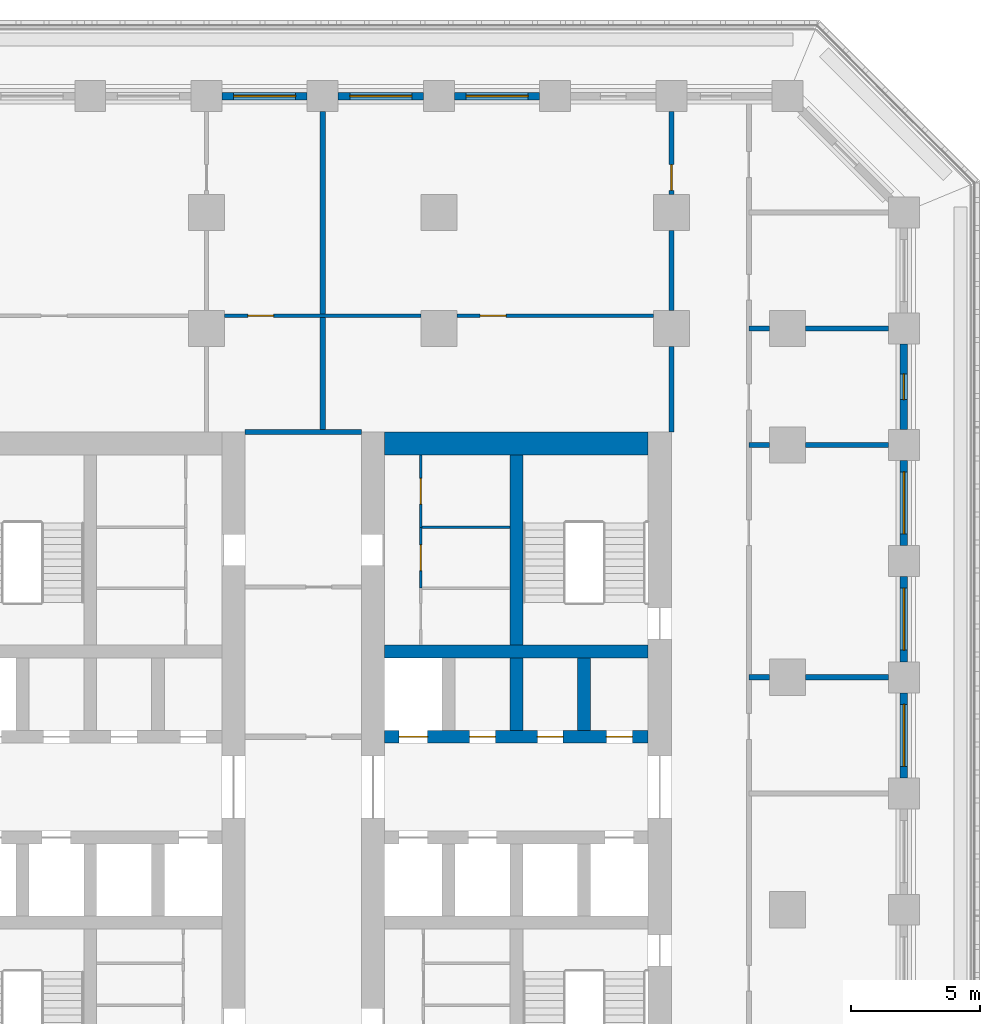
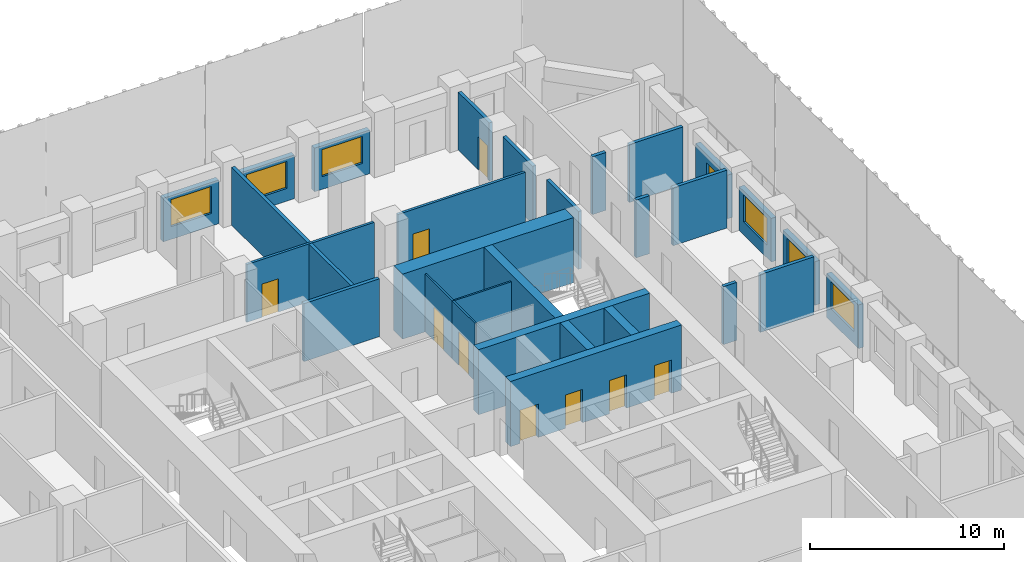
# One storey, part 8 of 19: 29 walls, 10 doors, 6 windows, 16 openings.
"""IFC4 building model written with IfcOpenShell, lengths in metres."""

from ifc_helpers import new_model, si_unit, direction, frame, frame_2d, origin, place, context, subcontext, project, spatial, rectangle, extrude, material, layer, layer_set, type_object, element, fill, save


model = new_model("IFC4")

# Units and contexts
model_context = context("Model", 3, precision=1e-05, world=origin(), true_north=direction((0.0, 1.0)))
body_context = subcontext(model_context, "Body", "Model", "MODEL_VIEW")
ifc_project = project(units=[si_unit("LENGTHUNIT", "METRE"), si_unit("AREAUNIT", "SQUARE_METRE"), si_unit("VOLUMEUNIT", "CUBIC_METRE"), si_unit("PLANEANGLEUNIT", "RADIAN"), si_unit("MASSUNIT", "GRAM", prefix="KILO")], contexts=[model_context])

# Site, building, storey
site_placement = place(None, origin())
site = spatial("IfcSite", under=ifc_project, at=site_placement, CompositionType="ELEMENT")
building_placement = place(site_placement, origin())
building = spatial("IfcBuilding", under=site, at=building_placement, Name="Corbel Stack Research Tower", CompositionType="ELEMENT")
storey_placement = place(building_placement, frame((0.0, 0.0, 124.89990234375)))
storey = spatial("IfcBuildingStorey", under=building, at=storey_placement, Name="L28", CompositionType="ELEMENT", Elevation=124.89990234375)

# Wall, openings, doors
ifc_material_1 = material(Name="Concrete C70/85", Category="concrete")
ifc_layer_1 = layer(ifc_material_1, 0.5)
ifc_layer_set_1 = layer_set([ifc_layer_1], Name="Concrete C70/85")
wall_type_1 = type_object("IfcWallType", Name="CW-500-70", PredefinedType="SHEAR", material=ifc_layer_set_1)
wall_1_placement = place(storey_placement, frame((6.89990234375, 6.699951171875, 0.0), z_axis=(0.0, 0.0, 1.0), x_axis=(1.0, 0.0, 0.0)))
wall_1 = element("IfcWall", 1, at=wall_1_placement, inside=storey, type_object=wall_type_1, Name="East core wall, lobby north L28", PredefinedType="SHEAR", context=body_context, shape_type="SweptSolid", body=[
    extrude(rectangle(XDim=10.2001953125, YDim=0.5, at=frame_2d((5.10009765625, 0.0))), origin(), (0.0, 0.0, 1.0), 4.10009765625),
])
opening_1_placement = place(wall_1_placement, frame((0.5625, 0.0, 0.0)))
opening_1 = element("IfcOpeningElement", 2, at=opening_1_placement, cuts=wall_1, Name="Opening LD-LR4", PredefinedType="OPENING", context=body_context, shape_type="SweptSolid", body=[
    extrude(rectangle(XDim=1.10009765625, YDim=2.10009765625, at=frame_2d((0.550048828125, 1.050048828125))), frame((0.0, 0.260009765625, 0.0), z_axis=(0.0, -1.0, 0.0), x_axis=(1.0, 0.0, 0.0)), (0.0, 0.0, 1.0), 0.52001953125),
])
opening_2_placement = place(wall_1_placement, frame((3.28759765625, 0.0, 0.0)))
opening_2 = element("IfcOpeningElement", 3, at=opening_2_placement, cuts=wall_1, Name="Opening CR-E42-N2", PredefinedType="OPENING", context=body_context, shape_type="SweptSolid", body=[
    extrude(rectangle(XDim=1.0, YDim=2.10009765625, at=frame_2d((0.5, 1.050048828125))), frame((0.0, 0.260009765625, 0.0), z_axis=(0.0, -1.0, 0.0), x_axis=(1.0, 0.0, 0.0)), (0.0, 0.0, 1.0), 0.52001953125),
])
opening_3_placement = place(wall_1_placement, frame((5.91259765625, 0.0, 0.0)))
opening_3 = element("IfcOpeningElement", 4, at=opening_3_placement, cuts=wall_1, Name="Opening CR-E42-N3", PredefinedType="OPENING", context=body_context, shape_type="SweptSolid", body=[
    extrude(rectangle(XDim=1.0, YDim=2.10009765625, at=frame_2d((0.5, 1.050048828125))), frame((0.0, 0.260009765625, 0.0), z_axis=(0.0, -1.0, 0.0), x_axis=(1.0, 0.0, 0.0)), (0.0, 0.0, 1.0), 0.52001953125),
])
opening_4_placement = place(wall_1_placement, frame((8.58740234375, 0.0, 0.0)))
opening_4 = element("IfcOpeningElement", 5, at=opening_4_placement, cuts=wall_1, Name="Opening CR-E42-N4", PredefinedType="OPENING", context=body_context, shape_type="SweptSolid", body=[
    extrude(rectangle(XDim=1.0, YDim=2.10009765625, at=frame_2d((0.5, 1.050048828125))), frame((0.0, 0.260009765625, 0.0), z_axis=(0.0, -1.0, 0.0), x_axis=(1.0, 0.0, 0.0)), (0.0, 0.0, 1.0), 0.52001953125),
])
ifc_material_2 = material(Name="Stainless steel landing door", Category="steel")
door_type_1 = type_object("IfcDoorType", Name="Lift landing door 1100 x 2100", OperationType="DOUBLE_DOOR_SLIDING", PredefinedType="DOOR", material=ifc_material_2)
door_1_placement = place(opening_1_placement, origin())
door_1 = element("IfcDoor", 6, at=door_1_placement, inside=storey, type_object=door_type_1, Name="Landing door LR4", OperationType="DOUBLE_DOOR_SLIDING", OverallHeight=2.10009765625, OverallWidth=1.10009765625, PredefinedType="DOOR", context=body_context, shape_type="SweptSolid", body=[
    extrude(rectangle(XDim=1.10009765625, YDim=2.10009765625, at=frame_2d((0.550048828125, 1.050048828125))), frame((0.0, 0.02490234375, 0.0), z_axis=(0.0, -1.0, 0.0), x_axis=(1.0, 0.0, 0.0)), (0.0, 0.0, 1.0), 0.050048828125),
])
fill(opening_1, door_1)
ifc_material_3 = material(Name="Painted steel door", Category="steel")
door_type_2 = type_object("IfcDoorType", Name="Service door 1000 x 2100 FD60 left hand", OperationType="SINGLE_SWING_LEFT", PredefinedType="DOOR", material=ifc_material_3)
door_2_placement = place(opening_3_placement, origin())
door_2 = element("IfcDoor", 7, at=door_2_placement, inside=storey, type_object=door_type_2, Name="Pantry door E core", OperationType="SINGLE_SWING_LEFT", OverallHeight=2.10009765625, OverallWidth=1.0, PredefinedType="DOOR", context=body_context, shape_type="SweptSolid", body=[
    extrude(rectangle(XDim=1.0, YDim=2.10009765625, at=frame_2d((0.5, 1.050048828125))), frame((0.0, 0.02490234375, 0.0), z_axis=(0.0, -1.0, 0.0), x_axis=(1.0, 0.0, 0.0)), (0.0, 0.0, 1.0), 0.050048828125),
])
fill(opening_3, door_2)
ifc_material_4 = material(Name="Painted steel door", Category="steel")
door_type_3 = type_object("IfcDoorType", Name="Service door 1000 x 2100 FD60 right hand", OperationType="SINGLE_SWING_RIGHT", PredefinedType="DOOR", material=ifc_material_4)
door_3_placement = place(opening_2_placement, origin())
door_3 = element("IfcDoor", 8, at=door_3_placement, inside=storey, type_object=door_type_3, Name="Electrical room door E core", OperationType="SINGLE_SWING_RIGHT", OverallHeight=2.10009765625, OverallWidth=1.0, PredefinedType="DOOR", context=body_context, shape_type="SweptSolid", body=[
    extrude(rectangle(XDim=1.0, YDim=2.10009765625, at=frame_2d((0.5, 1.050048828125))), frame((0.0, 0.02490234375, 0.0), z_axis=(0.0, -1.0, 0.0), x_axis=(1.0, 0.0, 0.0)), (0.0, 0.0, 1.0), 0.050048828125),
])
fill(opening_2, door_3)
door_4_placement = place(opening_4_placement, origin())
door_4 = element("IfcDoor", 9, at=door_4_placement, inside=storey, type_object=door_type_3, Name="Staff WC door E core", OperationType="SINGLE_SWING_RIGHT", OverallHeight=2.10009765625, OverallWidth=1.0, PredefinedType="DOOR", context=body_context, shape_type="SweptSolid", body=[
    extrude(rectangle(XDim=1.0, YDim=2.10009765625, at=frame_2d((0.5, 1.050048828125))), frame((0.0, 0.02490234375, 0.0), z_axis=(0.0, -1.0, 0.0), x_axis=(1.0, 0.0, 0.0)), (0.0, 0.0, 1.0), 0.050048828125),
])
fill(opening_4, door_4)

# Walls
wall_2_placement = place(storey_placement, frame((6.89990234375, 10.0, 0.0), z_axis=(0.0, 0.0, 1.0), x_axis=(1.0, 0.0, 0.0)))
element("IfcWall", 10, at=wall_2_placement, inside=storey, type_object=wall_type_1, Name="East core wall, north row back L28", PredefinedType="SHEAR", context=body_context, shape_type="SweptSolid", body=[
    extrude(rectangle(XDim=10.2001953125, YDim=0.5, at=frame_2d((5.10009765625, 0.0))), origin(), (0.0, 0.0, 1.0), 4.10009765625),
])
for number, where, z_axis, x_axis, name in (
    (11, (12.0, 6.949951171875, 0.0), (0.0, 0.0, 1.0), (0.0, 1.0, 0.0), "East core wall, north shaft 2 L28"),
    (12, (14.625, 6.949951171875, 0.0), (0.0, 0.0, 1.0), (0.0, 1.0, 0.0), "East core wall, north shaft 3 L28"),
):
    element("IfcWall", number, at=place(storey_placement, frame(where, z_axis=z_axis, x_axis=x_axis)), inside=storey, type_object=wall_type_1, Name=name, PredefinedType="SHEAR", context=body_context, shape_type="SweptSolid", body=[
        extrude(rectangle(XDim=2.800048828125, YDim=0.5, at=frame_2d((1.39990234375, 0.0))), origin(), (0.0, 0.0, 1.0), 4.10009765625),
    ])
wall_3_placement = place(storey_placement, frame((12.0, 10.25, 0.0), z_axis=(0.0, 0.0, 1.0), x_axis=(0.0, 1.0, 0.0)))
element("IfcWall", 13, at=wall_3_placement, inside=storey, type_object=wall_type_1, Name="East core wall, north stair and riser L28", PredefinedType="SHEAR", context=body_context, shape_type="SweptSolid", body=[
    extrude(rectangle(XDim=7.35009765625, YDim=0.5, at=frame_2d((3.675048828125, 0.0))), origin(), (0.0, 0.0, 1.0), 4.10009765625),
])
ifc_material_5 = material(Name="Concrete C70/85", Category="concrete")
ifc_layer_2 = layer(ifc_material_5, 0.89990234375)
ifc_layer_set_2 = layer_set([ifc_layer_2], Name="Concrete C70/85")
wall_type_2 = type_object("IfcWallType", Name="CW-900-70", PredefinedType="SHEAR", material=ifc_layer_set_2)
wall_4_placement = place(storey_placement, frame((6.89990234375, 18.050048828125, 0.0), z_axis=(0.0, 0.0, 1.0), x_axis=(1.0, 0.0, 0.0)))
element("IfcWall", 14, at=wall_4_placement, inside=storey, type_object=wall_type_2, Name="East core wall, north end L28", PredefinedType="SHEAR", context=body_context, shape_type="SweptSolid", body=[
    extrude(rectangle(XDim=10.2001953125, YDim=0.89990234375, at=frame_2d((5.10009765625, 0.0))), origin(), (0.0, 0.0, 1.0), 4.10009765625),
])

# Wall, opening, door
ifc_material_6 = material(Name="Gypsum board")
ifc_layer_3 = layer(ifc_material_6, 0.10009765625)
ifc_layer_set_3 = layer_set([ifc_layer_3], Name="Gypsum board")
wall_type_3 = type_object("IfcWallType", Name="Core partition 100", PredefinedType="PARTITIONING", material=ifc_layer_set_3)
wall_5_placement = place(storey_placement, frame((8.300048828125, 12.455078125, 0.0), z_axis=(0.0, 0.0, 1.0), x_axis=(0.0, 1.0, 0.0)))
wall_5 = element("IfcWall", 15, at=wall_5_placement, inside=storey, type_object=wall_type_3, Name="Core partition E", PredefinedType="PARTITIONING", context=body_context, shape_type="SweptSolid", body=[
    extrude(rectangle(XDim=2.351806640625, YDim=0.10009765625, at=frame_2d((1.17578125, 0.0))), origin(), (0.0, 0.0, 1.0), 3.650146484375),
])
opening_5_placement = place(wall_5_placement, frame((0.676025390625, 0.0, 0.0)))
opening_5 = element("IfcOpeningElement", 16, at=opening_5_placement, cuts=wall_5, Name="Opening CR-E42-R3-1000", PredefinedType="OPENING", context=body_context, shape_type="SweptSolid", body=[
    extrude(rectangle(XDim=1.0, YDim=2.10009765625, at=frame_2d((0.5, 1.050048828125))), frame((0.0, 0.06005859375, 0.0), z_axis=(0.0, -1.0, 0.0), x_axis=(1.0, 0.0, 0.0)), (0.0, 0.0, 1.0), 0.1201171875),
])
ifc_material_7 = material(Name="Painted steel door", Category="steel")
door_type_4 = type_object("IfcDoorType", Name="Service door 1000 x 2100 FD30 right hand", OperationType="SINGLE_SWING_RIGHT", PredefinedType="DOOR", material=ifc_material_7)
door_5_placement = place(opening_5_placement, origin())
door_5 = element("IfcDoor", 17, at=door_5_placement, inside=storey, type_object=door_type_4, Name="Pantry door E core", OperationType="SINGLE_SWING_RIGHT", OverallHeight=2.10009765625, OverallWidth=1.0, PredefinedType="DOOR", context=body_context, shape_type="SweptSolid", body=[
    extrude(rectangle(XDim=1.0, YDim=2.10009765625, at=frame_2d((0.5, 1.050048828125))), frame((0.0, 0.02490234375, 0.0), z_axis=(0.0, -1.0, 0.0), x_axis=(1.0, 0.0, 0.0)), (0.0, 0.0, 1.0), 0.050048828125),
])
fill(opening_5, door_5)

wall_6_placement = place(storey_placement, frame((8.300048828125, 14.806884765625, 0.0), z_axis=(0.0, 0.0, 1.0), x_axis=(0.0, 1.0, 0.0)))
wall_6 = element("IfcWall", 18, at=wall_6_placement, inside=storey, type_object=wall_type_3, Name="Core partition E", PredefinedType="PARTITIONING", context=body_context, shape_type="SweptSolid", body=[
    extrude(rectangle(XDim=2.793212890625, YDim=0.10009765625, at=frame_2d((1.396484375, 0.0))), origin(), (0.0, 0.0, 1.0), 3.650146484375),
])
opening_6_placement = place(wall_6_placement, frame((0.896484375, 0.0, 0.0)))
opening_6 = element("IfcOpeningElement", 19, at=opening_6_placement, cuts=wall_6, Name="Opening CR-E42-R4-1000", PredefinedType="OPENING", context=body_context, shape_type="SweptSolid", body=[
    extrude(rectangle(XDim=1.0, YDim=2.10009765625, at=frame_2d((0.5, 1.050048828125))), frame((0.0, 0.06005859375, 0.0), z_axis=(0.0, -1.0, 0.0), x_axis=(1.0, 0.0, 0.0)), (0.0, 0.0, 1.0), 0.1201171875),
])
ifc_material_8 = material(Name="Painted steel door", Category="steel")
door_type_5 = type_object("IfcDoorType", Name="Riser door 1000 x 2100 FD60 left hand", OperationType="SINGLE_SWING_LEFT", PredefinedType="DOOR", material=ifc_material_8)
door_6_placement = place(opening_6_placement, origin())
door_6 = element("IfcDoor", 20, at=door_6_placement, inside=storey, type_object=door_type_5, Name="Electrical riser door E core", OperationType="SINGLE_SWING_LEFT", OverallHeight=2.10009765625, OverallWidth=1.0, PredefinedType="DOOR", context=body_context, shape_type="SweptSolid", body=[
    extrude(rectangle(XDim=1.0, YDim=2.10009765625, at=frame_2d((0.5, 1.050048828125))), frame((0.0, 0.02490234375, 0.0), z_axis=(0.0, -1.0, 0.0), x_axis=(1.0, 0.0, 0.0)), (0.0, 0.0, 1.0), 0.050048828125),
])
fill(opening_6, door_6)

# Walls
wall_7_placement = place(storey_placement, frame((8.300048828125, 14.806884765625, 0.0), z_axis=(0.0, 0.0, 1.0), x_axis=(1.0, 0.0, 0.0)))
element("IfcWall", 21, at=wall_7_placement, inside=storey, type_object=wall_type_3, Name="Core partition E", PredefinedType="PARTITIONING", context=body_context, shape_type="SweptSolid", body=[
    extrude(rectangle(XDim=3.449951171875, YDim=0.10009765625, at=frame_2d((1.72509765625, 0.0))), origin(), (0.0, 0.0, 1.0), 3.650146484375),
])
ifc_material_9 = material(Name="Fire-rated gypsum board partition on steel studs", Category="steel")
ifc_layer_4 = layer(ifc_material_9, 0.199951171875)
ifc_layer_set_4 = layer_set([ifc_layer_4], Name="Fire-rated gypsum board partition on steel studs")
wall_type_4 = type_object("IfcWallType", Name="Fire-rated partition 200 EI 60", PredefinedType="PARTITIONING", material=ifc_layer_set_4)
wall_8_placement = place(storey_placement, frame((4.5, 18.5, 0.0), z_axis=(0.0, 0.0, 1.0), x_axis=(0.0, 1.0, 0.0)))
element("IfcWall", 22, at=wall_8_placement, inside=storey, type_object=wall_type_4, Name="Partition L28-018", PredefinedType="PARTITIONING", context=body_context, shape_type="SweptSolid", body=[
    extrude(rectangle(XDim=12.39990234375, YDim=0.199951171875, at=frame_2d((6.199951171875, 0.0))), origin(), (0.0, 0.0, 1.0), 3.650146484375),
])
wall_9_placement = place(storey_placement, frame((18.0, 18.5, 0.0), z_axis=(0.0, 0.0, 1.0), x_axis=(0.0, 1.0, 0.0)))
element("IfcWall", 23, at=wall_9_placement, inside=storey, type_object=wall_type_4, Name="Partition L28-021", PredefinedType="PARTITIONING", context=body_context, shape_type="SweptSolid", body=[
    extrude(rectangle(XDim=3.300048828125, YDim=0.199951171875, at=frame_2d((1.64990234375, 0.0))), origin(), (0.0, 0.0, 1.0), 3.650146484375),
])
wall_10_placement = place(storey_placement, frame((18.0, 23.199951171875, 0.0), z_axis=(0.0, 0.0, 1.0), x_axis=(0.0, 1.0, 0.0)))
element("IfcWall", 24, at=wall_10_placement, inside=storey, type_object=wall_type_4, Name="Partition L28-022", PredefinedType="PARTITIONING", context=body_context, shape_type="SweptSolid", body=[
    extrude(rectangle(XDim=3.10009765625, YDim=0.199951171875, at=frame_2d((1.550048828125, 0.0))), origin(), (0.0, 0.0, 1.0), 3.650146484375),
])

# Wall, opening, door
wall_11_placement = place(storey_placement, frame((18.0, 27.699951171875, 0.0), z_axis=(0.0, 0.0, 1.0), x_axis=(0.0, 1.0, 0.0)))
wall_11 = element("IfcWall", 25, at=wall_11_placement, inside=storey, type_object=wall_type_4, Name="Partition L28-023", PredefinedType="PARTITIONING", context=body_context, shape_type="SweptSolid", body=[
    extrude(rectangle(XDim=3.199951171875, YDim=0.199951171875, at=frame_2d((1.60009765625, 0.0))), origin(), (0.0, 0.0, 1.0), 3.650146484375),
])
opening_7_placement = place(wall_11_placement, frame((0.14990234375, 0.0, 0.0)))
opening_7 = element("IfcOpeningElement", 26, at=opening_7_placement, cuts=wall_11, Name="Opening B4V1-027", PredefinedType="OPENING", context=body_context, shape_type="SweptSolid", body=[
    extrude(rectangle(XDim=1.0, YDim=2.10009765625, at=frame_2d((0.5, 1.050048828125))), frame((0.0, 0.10986328125, 0.0), z_axis=(0.0, -1.0, 0.0), x_axis=(1.0, 0.0, 0.0)), (0.0, 0.0, 1.0), 0.219970703125),
])
ifc_material_10 = material(Name="Painted steel fire door", Category="steel")
door_type_6 = type_object("IfcDoorType", Name="Fire door FD30S 1000 x 2100", OperationType="NOTDEFINED", PredefinedType="DOOR", material=ifc_material_10)
door_7_placement = place(opening_7_placement, origin())
door_7 = element("IfcDoor", 27, at=door_7_placement, inside=storey, type_object=door_type_6, Name="Door B4V1-027", OperationType="SINGLE_SWING_LEFT", OverallHeight=2.10009765625, OverallWidth=1.0, PredefinedType="DOOR", context=body_context, shape_type="SweptSolid", body=[
    extrude(rectangle(XDim=1.0, YDim=2.10009765625, at=frame_2d((0.5, 1.050048828125))), frame((0.0, 0.02490234375, 0.0), z_axis=(0.0, -1.0, 0.0), x_axis=(1.0, 0.0, 0.0)), (0.0, 0.0, 1.0), 0.050048828125),
])
fill(opening_7, door_7)

# Walls
wall_12_placement = place(storey_placement, frame((21.0, 9.0, 0.0), z_axis=(0.0, 0.0, 1.0), x_axis=(1.0, 0.0, 0.0)))
element("IfcWall", 28, at=wall_12_placement, inside=storey, type_object=wall_type_4, Name="Partition L28-038", PredefinedType="PARTITIONING", context=body_context, shape_type="SweptSolid", body=[
    extrude(rectangle(XDim=0.800048828125, YDim=0.199951171875, at=frame_2d((0.39990234375, 0.0))), origin(), (0.0, 0.0, 1.0), 3.650146484375),
])
wall_13_placement = place(storey_placement, frame((23.199951171875, 9.0, 0.0), z_axis=(0.0, 0.0, 1.0), x_axis=(1.0, 0.0, 0.0)))
element("IfcWall", 29, at=wall_13_placement, inside=storey, type_object=wall_type_4, Name="Partition L28-039", PredefinedType="PARTITIONING", context=body_context, shape_type="SweptSolid", body=[
    extrude(rectangle(XDim=3.199951171875, YDim=0.199951171875, at=frame_2d((1.60009765625, 0.0))), origin(), (0.0, 0.0, 1.0), 3.650146484375),
])
wall_14_placement = place(storey_placement, frame((21.0, 18.0, 0.0), z_axis=(0.0, 0.0, 1.0), x_axis=(1.0, 0.0, 0.0)))
element("IfcWall", 30, at=wall_14_placement, inside=storey, type_object=wall_type_4, Name="Partition L28-043", PredefinedType="PARTITIONING", context=body_context, shape_type="SweptSolid", body=[
    extrude(rectangle(XDim=0.800048828125, YDim=0.199951171875, at=frame_2d((0.39990234375, 0.0))), origin(), (0.0, 0.0, 1.0), 3.650146484375),
])
wall_15_placement = place(storey_placement, frame((23.199951171875, 18.0, 0.0), z_axis=(0.0, 0.0, 1.0), x_axis=(1.0, 0.0, 0.0)))
element("IfcWall", 31, at=wall_15_placement, inside=storey, type_object=wall_type_4, Name="Partition L28-044", PredefinedType="PARTITIONING", context=body_context, shape_type="SweptSolid", body=[
    extrude(rectangle(XDim=3.199951171875, YDim=0.199951171875, at=frame_2d((1.60009765625, 0.0))), origin(), (0.0, 0.0, 1.0), 3.650146484375),
])
wall_16_placement = place(storey_placement, frame((1.5, 18.5, 0.0), z_axis=(0.0, 0.0, 1.0), x_axis=(1.0, 0.0, 0.0)))
element("IfcWall", 32, at=wall_16_placement, inside=storey, type_object=wall_type_4, Name="Partition L28-045", PredefinedType="PARTITIONING", context=body_context, shape_type="SweptSolid", body=[
    extrude(rectangle(XDim=4.5, YDim=0.199951171875, at=frame_2d((2.25, 0.0))), origin(), (0.0, 0.0, 1.0), 3.650146484375),
])
wall_17_placement = place(storey_placement, frame((21.0, 22.5, 0.0), z_axis=(0.0, 0.0, 1.0), x_axis=(1.0, 0.0, 0.0)))
element("IfcWall", 33, at=wall_17_placement, inside=storey, type_object=wall_type_4, Name="Partition L28-048", PredefinedType="PARTITIONING", context=body_context, shape_type="SweptSolid", body=[
    extrude(rectangle(XDim=0.800048828125, YDim=0.199951171875, at=frame_2d((0.39990234375, 0.0))), origin(), (0.0, 0.0, 1.0), 3.650146484375),
])
wall_18_placement = place(storey_placement, frame((23.199951171875, 22.5, 0.0), z_axis=(0.0, 0.0, 1.0), x_axis=(1.0, 0.0, 0.0)))
element("IfcWall", 34, at=wall_18_placement, inside=storey, type_object=wall_type_4, Name="Partition L28-049", PredefinedType="PARTITIONING", context=body_context, shape_type="SweptSolid", body=[
    extrude(rectangle(XDim=3.199951171875, YDim=0.199951171875, at=frame_2d((1.60009765625, 0.0))), origin(), (0.0, 0.0, 1.0), 3.650146484375),
])

# Wall, opening, door
ifc_material_11 = material(Name="Gypsum board partition on steel studs", Category="steel")
ifc_layer_5 = layer(ifc_material_11, 0.14990234375)
ifc_layer_set_5 = layer_set([ifc_layer_5], Name="Gypsum board partition on steel studs")
wall_type_5 = type_object("IfcWallType", Name="Partition 150", PredefinedType="PARTITIONING", material=ifc_layer_set_5)
wall_19_placement = place(storey_placement, frame((8.300048828125, 23.0, 0.0), z_axis=(0.0, 0.0, 1.0), x_axis=(-1.0, 0.0, 0.0)))
wall_19 = element("IfcWall", 35, at=wall_19_placement, inside=storey, type_object=wall_type_5, Name="Partition L28-052", PredefinedType="PARTITIONING", context=body_context, shape_type="SweptSolid", body=[
    extrude(rectangle(XDim=7.60009765625, YDim=0.14990234375, at=frame_2d((3.800048828125, 0.0))), origin(), (0.0, 0.0, 1.0), 3.650146484375),
])
opening_8_placement = place(wall_19_placement, frame((5.699951171875, 0.0, 0.0)))
opening_8 = element("IfcOpeningElement", 36, at=opening_8_placement, cuts=wall_19, Name="Opening B4V1-037", PredefinedType="OPENING", context=body_context, shape_type="SweptSolid", body=[
    extrude(rectangle(XDim=1.0, YDim=2.10009765625, at=frame_2d((0.5, 1.050048828125))), frame((0.0, 0.0849609375, 0.0), z_axis=(0.0, -1.0, 0.0), x_axis=(1.0, 0.0, 0.0)), (0.0, 0.0, 1.0), 0.169921875),
])
ifc_material_12 = material(Name="Painted timber door", Category="wood")
door_type_7 = type_object("IfcDoorType", Name="Single door 1000 x 2100", OperationType="NOTDEFINED", PredefinedType="DOOR", material=ifc_material_12)
door_8_placement = place(opening_8_placement, origin())
door_8 = element("IfcDoor", 37, at=door_8_placement, inside=storey, type_object=door_type_7, Name="Door B4V1-037", OperationType="SINGLE_SWING_RIGHT", OverallHeight=2.10009765625, OverallWidth=1.0, PredefinedType="DOOR", context=body_context, shape_type="SweptSolid", body=[
    extrude(rectangle(XDim=1.0, YDim=2.10009765625, at=frame_2d((0.5, 1.050048828125))), frame((0.0, 0.02490234375, 0.0), z_axis=(0.0, -1.0, 0.0), x_axis=(1.0, 0.0, 0.0)), (0.0, 0.0, 1.0), 0.050048828125),
])
fill(opening_8, door_8)

wall_20_placement = place(storey_placement, frame((17.300048828125, 23.0, 0.0), z_axis=(0.0, 0.0, 1.0), x_axis=(-1.0, 0.0, 0.0)))
wall_20 = element("IfcWall", 38, at=wall_20_placement, inside=storey, type_object=wall_type_5, Name="Partition L28-053", PredefinedType="PARTITIONING", context=body_context, shape_type="SweptSolid", body=[
    extrude(rectangle(XDim=7.60009765625, YDim=0.14990234375, at=frame_2d((3.800048828125, 0.0))), origin(), (0.0, 0.0, 1.0), 3.650146484375),
])
opening_9_placement = place(wall_20_placement, frame((5.699951171875, 0.0, 0.0)))
opening_9 = element("IfcOpeningElement", 39, at=opening_9_placement, cuts=wall_20, Name="Opening B4V1-038", PredefinedType="OPENING", context=body_context, shape_type="SweptSolid", body=[
    extrude(rectangle(XDim=1.0, YDim=2.10009765625, at=frame_2d((0.5, 1.050048828125))), frame((0.0, 0.0849609375, 0.0), z_axis=(0.0, -1.0, 0.0), x_axis=(1.0, 0.0, 0.0)), (0.0, 0.0, 1.0), 0.169921875),
])
door_9_placement = place(opening_9_placement, origin())
door_9 = element("IfcDoor", 40, at=door_9_placement, inside=storey, type_object=door_type_7, Name="Door B4V1-038", OperationType="SINGLE_SWING_RIGHT", OverallHeight=2.10009765625, OverallWidth=1.0, PredefinedType="DOOR", context=body_context, shape_type="SweptSolid", body=[
    extrude(rectangle(XDim=1.0, YDim=2.10009765625, at=frame_2d((0.5, 1.050048828125))), frame((0.0, 0.02490234375, 0.0), z_axis=(0.0, -1.0, 0.0), x_axis=(1.0, 0.0, 0.0)), (0.0, 0.0, 1.0), 0.050048828125),
])
fill(opening_9, door_9)

# Wall, opening, window
ifc_material_13 = material(Name="Concrete C45/55", Category="concrete")
ifc_layer_6 = layer(ifc_material_13, 0.300048828125)
ifc_layer_set_6 = layer_set([ifc_layer_6], Name="Concrete C45/55")
wall_type_6 = type_object("IfcWallType", Name="Terracotta-faced concrete wall 300", PredefinedType="SOLIDWALL", material=ifc_layer_set_6)
wall_21_placement = place(storey_placement, frame((27.0, 8.39990234375, 0.0), z_axis=(0.0, 0.0, 1.0), x_axis=(0.0, -1.0, 0.0)))
wall_21 = element("IfcWall", 41, at=wall_21_placement, inside=storey, type_object=wall_type_6, Name="Facade wall L28 E06", PredefinedType="SOLIDWALL", context=body_context, shape_type="SweptSolid", body=[
    extrude(rectangle(XDim=3.2998046875, YDim=0.300048828125, at=frame_2d((1.64990234375, 0.0))), origin(), (0.0, 0.0, 1.0), 2.75),
])
opening_10_placement = place(wall_21_placement, frame((0.449951171875, 0.0, 0.800048828125)))
opening_10 = element("IfcOpeningElement", 42, at=opening_10_placement, cuts=wall_21, Name="Opening W1", PredefinedType="OPENING", context=body_context, shape_type="SweptSolid", body=[
    extrude(rectangle(XDim=2.39990234375, YDim=1.699951171875, at=frame_2d((1.199951171875, 0.85009765625))), frame((0.0, 0.159912109375, 0.0), z_axis=(0.0, -1.0, 0.0), x_axis=(1.0, 0.0, 0.0)), (0.0, 0.0, 1.0), 0.320068359375),
])
ifc_material_14 = material(Name="Aluminium frame, clear double glazing", Category="aluminium")
window_type = type_object("IfcWindowType", Name="Window W1 2400 x 1700", PartitioningType="SINGLE_PANEL", PredefinedType="WINDOW", material=ifc_material_14)
window_1_placement = place(opening_10_placement, origin())
window_1 = element("IfcWindow", 43, at=window_1_placement, inside=storey, type_object=window_type, Name="Window W1 L28 E06", OverallHeight=1.699951171875, OverallWidth=2.39990234375, PartitioningType="SINGLE_PANEL", PredefinedType="WINDOW", context=body_context, shape_type="SweptSolid", body=[
    extrude(rectangle(XDim=2.39990234375, YDim=1.699951171875, at=frame_2d((1.199951171875, 0.85009765625))), frame((0.0, 0.030029296875, 0.0), z_axis=(0.0, -1.0, 0.0), x_axis=(1.0, 0.0, 0.0)), (0.0, 0.0, 1.0), 0.06005859375),
])
fill(opening_10, window_1)

wall_22_placement = place(storey_placement, frame((27.0, 12.89990234375, 0.0), z_axis=(0.0, 0.0, 1.0), x_axis=(0.0, -1.0, 0.0)))
wall_22 = element("IfcWall", 44, at=wall_22_placement, inside=storey, type_object=wall_type_6, Name="Facade wall L28 E07", PredefinedType="SOLIDWALL", context=body_context, shape_type="SweptSolid", body=[
    extrude(rectangle(XDim=3.2998046875, YDim=0.300048828125, at=frame_2d((1.64990234375, 0.0))), origin(), (0.0, 0.0, 1.0), 2.75),
])
opening_11_placement = place(wall_22_placement, frame((0.449951171875, 0.0, 0.800048828125)))
opening_11 = element("IfcOpeningElement", 45, at=opening_11_placement, cuts=wall_22, Name="Opening W1", PredefinedType="OPENING", context=body_context, shape_type="SweptSolid", body=[
    extrude(rectangle(XDim=2.39990234375, YDim=1.699951171875, at=frame_2d((1.199951171875, 0.85009765625))), frame((0.0, 0.159912109375, 0.0), z_axis=(0.0, -1.0, 0.0), x_axis=(1.0, 0.0, 0.0)), (0.0, 0.0, 1.0), 0.320068359375),
])
window_2_placement = place(opening_11_placement, origin())
window_2 = element("IfcWindow", 46, at=window_2_placement, inside=storey, type_object=window_type, Name="Window W1 L28 E07", OverallHeight=1.699951171875, OverallWidth=2.39990234375, PartitioningType="SINGLE_PANEL", PredefinedType="WINDOW", context=body_context, shape_type="SweptSolid", body=[
    extrude(rectangle(XDim=2.39990234375, YDim=1.699951171875, at=frame_2d((1.199951171875, 0.85009765625))), frame((0.0, 0.030029296875, 0.0), z_axis=(0.0, -1.0, 0.0), x_axis=(1.0, 0.0, 0.0)), (0.0, 0.0, 1.0), 0.06005859375),
])
fill(opening_11, window_2)

wall_23_placement = place(storey_placement, frame((27.0, 17.39990234375, 0.0), z_axis=(0.0, 0.0, 1.0), x_axis=(0.0, -1.0, 0.0)))
wall_23 = element("IfcWall", 47, at=wall_23_placement, inside=storey, type_object=wall_type_6, Name="Facade wall L28 E08", PredefinedType="SOLIDWALL", context=body_context, shape_type="SweptSolid", body=[
    extrude(rectangle(XDim=3.2998046875, YDim=0.300048828125, at=frame_2d((1.64990234375, 0.0))), origin(), (0.0, 0.0, 1.0), 2.75),
])
opening_12_placement = place(wall_23_placement, frame((0.449951171875, 0.0, 0.800048828125)))
opening_12 = element("IfcOpeningElement", 48, at=opening_12_placement, cuts=wall_23, Name="Opening W1", PredefinedType="OPENING", context=body_context, shape_type="SweptSolid", body=[
    extrude(rectangle(XDim=2.39990234375, YDim=1.699951171875, at=frame_2d((1.199951171875, 0.85009765625))), frame((0.0, 0.159912109375, 0.0), z_axis=(0.0, -1.0, 0.0), x_axis=(1.0, 0.0, 0.0)), (0.0, 0.0, 1.0), 0.320068359375),
])
window_3_placement = place(opening_12_placement, origin())
window_3 = element("IfcWindow", 49, at=window_3_placement, inside=storey, type_object=window_type, Name="Window W1 L28 E08", OverallHeight=1.699951171875, OverallWidth=2.39990234375, PartitioningType="SINGLE_PANEL", PredefinedType="WINDOW", context=body_context, shape_type="SweptSolid", body=[
    extrude(rectangle(XDim=2.39990234375, YDim=1.699951171875, at=frame_2d((1.199951171875, 0.85009765625))), frame((0.0, 0.030029296875, 0.0), z_axis=(0.0, -1.0, 0.0), x_axis=(1.0, 0.0, 0.0)), (0.0, 0.0, 1.0), 0.06005859375),
])
fill(opening_12, window_3)

# Wall, opening, door
wall_24_placement = place(storey_placement, frame((27.0, 21.89990234375, 0.0), z_axis=(0.0, 0.0, 1.0), x_axis=(0.0, -1.0, 0.0)))
wall_24 = element("IfcWall", 50, at=wall_24_placement, inside=storey, type_object=wall_type_6, Name="Facade wall L28 E09", PredefinedType="SOLIDWALL", context=body_context, shape_type="SweptSolid", body=[
    extrude(rectangle(XDim=3.2998046875, YDim=0.300048828125, at=frame_2d((1.64990234375, 0.0))), origin(), (0.0, 0.0, 1.0), 2.75),
])
opening_13_placement = place(wall_24_placement, frame((1.14990234375, 0.0, 0.0)))
opening_13 = element("IfcOpeningElement", 51, at=opening_13_placement, cuts=wall_24, Name="Opening L28-B05", PredefinedType="OPENING", context=body_context, shape_type="SweptSolid", body=[
    extrude(rectangle(XDim=1.0, YDim=2.199951171875, at=frame_2d((0.5, 1.10009765625))), frame((0.0, 0.159912109375, 0.0), z_axis=(0.0, -1.0, 0.0), x_axis=(1.0, 0.0, 0.0)), (0.0, 0.0, 1.0), 0.320068359375),
])
ifc_material_15 = material(Name="Aluminium frame, clear double glazing", Category="aluminium")
door_type_8 = type_object("IfcDoorType", Name="Balcony door BD1 1000 x 2200", OperationType="NOTDEFINED", PredefinedType="DOOR", material=ifc_material_15)
door_10_placement = place(opening_13_placement, origin())
door_10 = element("IfcDoor", 52, at=door_10_placement, inside=storey, type_object=door_type_8, Name="Balcony door L28-B05", OperationType="SINGLE_SWING_LEFT", OverallHeight=2.199951171875, OverallWidth=1.0, PredefinedType="DOOR", context=body_context, shape_type="SweptSolid", body=[
    extrude(rectangle(XDim=1.0, YDim=2.199951171875, at=frame_2d((0.5, 1.10009765625))), frame((0.0, 0.02490234375, 0.0), z_axis=(0.0, -1.0, 0.0), x_axis=(1.0, 0.0, 0.0)), (0.0, 0.0, 1.0), 0.050048828125),
])
fill(opening_13, door_10)

# Wall, opening, window
wall_25_placement = place(storey_placement, frame((9.60009765625, 31.5, 0.0), z_axis=(0.0, 0.0, 1.0), x_axis=(1.0, 0.0, 0.0)))
wall_25 = element("IfcWall", 53, at=wall_25_placement, inside=storey, type_object=wall_type_6, Name="Facade wall L28 N03", PredefinedType="SOLIDWALL", context=body_context, shape_type="SweptSolid", body=[
    extrude(rectangle(XDim=3.2998046875, YDim=0.300048828125, at=frame_2d((1.64990234375, 0.0))), origin(), (0.0, 0.0, 1.0), 2.75),
])
opening_14_placement = place(wall_25_placement, frame((0.449951171875, 0.0, 0.800048828125)))
opening_14 = element("IfcOpeningElement", 54, at=opening_14_placement, cuts=wall_25, Name="Opening W1", PredefinedType="OPENING", context=body_context, shape_type="SweptSolid", body=[
    extrude(rectangle(XDim=2.39990234375, YDim=1.699951171875, at=frame_2d((1.199951171875, 0.85009765625))), frame((0.0, 0.159912109375, 0.0), z_axis=(0.0, -1.0, 0.0), x_axis=(1.0, 0.0, 0.0)), (0.0, 0.0, 1.0), 0.320068359375),
])
window_4_placement = place(opening_14_placement, origin())
window_4 = element("IfcWindow", 55, at=window_4_placement, inside=storey, type_object=window_type, Name="Window W1 L28 N03", OverallHeight=1.699951171875, OverallWidth=2.39990234375, PartitioningType="SINGLE_PANEL", PredefinedType="WINDOW", context=body_context, shape_type="SweptSolid", body=[
    extrude(rectangle(XDim=2.39990234375, YDim=1.699951171875, at=frame_2d((1.199951171875, 0.85009765625))), frame((0.0, 0.030029296875, 0.0), z_axis=(0.0, -1.0, 0.0), x_axis=(1.0, 0.0, 0.0)), (0.0, 0.0, 1.0), 0.06005859375),
])
fill(opening_14, window_4)

wall_26_placement = place(storey_placement, frame((5.10009765625, 31.5, 0.0), z_axis=(0.0, 0.0, 1.0), x_axis=(1.0, 0.0, 0.0)))
wall_26 = element("IfcWall", 56, at=wall_26_placement, inside=storey, type_object=wall_type_6, Name="Facade wall L28 N04", PredefinedType="SOLIDWALL", context=body_context, shape_type="SweptSolid", body=[
    extrude(rectangle(XDim=3.2998046875, YDim=0.300048828125, at=frame_2d((1.64990234375, 0.0))), origin(), (0.0, 0.0, 1.0), 2.75),
])
opening_15_placement = place(wall_26_placement, frame((0.449951171875, 0.0, 0.800048828125)))
opening_15 = element("IfcOpeningElement", 57, at=opening_15_placement, cuts=wall_26, Name="Opening W1", PredefinedType="OPENING", context=body_context, shape_type="SweptSolid", body=[
    extrude(rectangle(XDim=2.39990234375, YDim=1.699951171875, at=frame_2d((1.199951171875, 0.85009765625))), frame((0.0, 0.159912109375, 0.0), z_axis=(0.0, -1.0, 0.0), x_axis=(1.0, 0.0, 0.0)), (0.0, 0.0, 1.0), 0.320068359375),
])
window_5_placement = place(opening_15_placement, origin())
window_5 = element("IfcWindow", 58, at=window_5_placement, inside=storey, type_object=window_type, Name="Window W1 L28 N04", OverallHeight=1.699951171875, OverallWidth=2.39990234375, PartitioningType="SINGLE_PANEL", PredefinedType="WINDOW", context=body_context, shape_type="SweptSolid", body=[
    extrude(rectangle(XDim=2.39990234375, YDim=1.699951171875, at=frame_2d((1.199951171875, 0.85009765625))), frame((0.0, 0.030029296875, 0.0), z_axis=(0.0, -1.0, 0.0), x_axis=(1.0, 0.0, 0.0)), (0.0, 0.0, 1.0), 0.06005859375),
])
fill(opening_15, window_5)

wall_27_placement = place(storey_placement, frame((0.60009765625, 31.5, 0.0), z_axis=(0.0, 0.0, 1.0), x_axis=(1.0, 0.0, 0.0)))
wall_27 = element("IfcWall", 59, at=wall_27_placement, inside=storey, type_object=wall_type_6, Name="Facade wall L28 N05", PredefinedType="SOLIDWALL", context=body_context, shape_type="SweptSolid", body=[
    extrude(rectangle(XDim=3.2998046875, YDim=0.300048828125, at=frame_2d((1.64990234375, 0.0))), origin(), (0.0, 0.0, 1.0), 2.75),
])
opening_16_placement = place(wall_27_placement, frame((0.449951171875, 0.0, 0.800048828125)))
opening_16 = element("IfcOpeningElement", 60, at=opening_16_placement, cuts=wall_27, Name="Opening W1", PredefinedType="OPENING", context=body_context, shape_type="SweptSolid", body=[
    extrude(rectangle(XDim=2.39990234375, YDim=1.699951171875, at=frame_2d((1.199951171875, 0.85009765625))), frame((0.0, 0.159912109375, 0.0), z_axis=(0.0, -1.0, 0.0), x_axis=(1.0, 0.0, 0.0)), (0.0, 0.0, 1.0), 0.320068359375),
])
window_6_placement = place(opening_16_placement, origin())
window_6 = element("IfcWindow", 61, at=window_6_placement, inside=storey, type_object=window_type, Name="Window W1 L28 N05", OverallHeight=1.699951171875, OverallWidth=2.39990234375, PartitioningType="SINGLE_PANEL", PredefinedType="WINDOW", context=body_context, shape_type="SweptSolid", body=[
    extrude(rectangle(XDim=2.39990234375, YDim=1.699951171875, at=frame_2d((1.199951171875, 0.85009765625))), frame((0.0, 0.030029296875, 0.0), z_axis=(0.0, -1.0, 0.0), x_axis=(1.0, 0.0, 0.0)), (0.0, 0.0, 1.0), 0.06005859375),
])
fill(opening_16, window_6)

save(model, "model.ifc")
